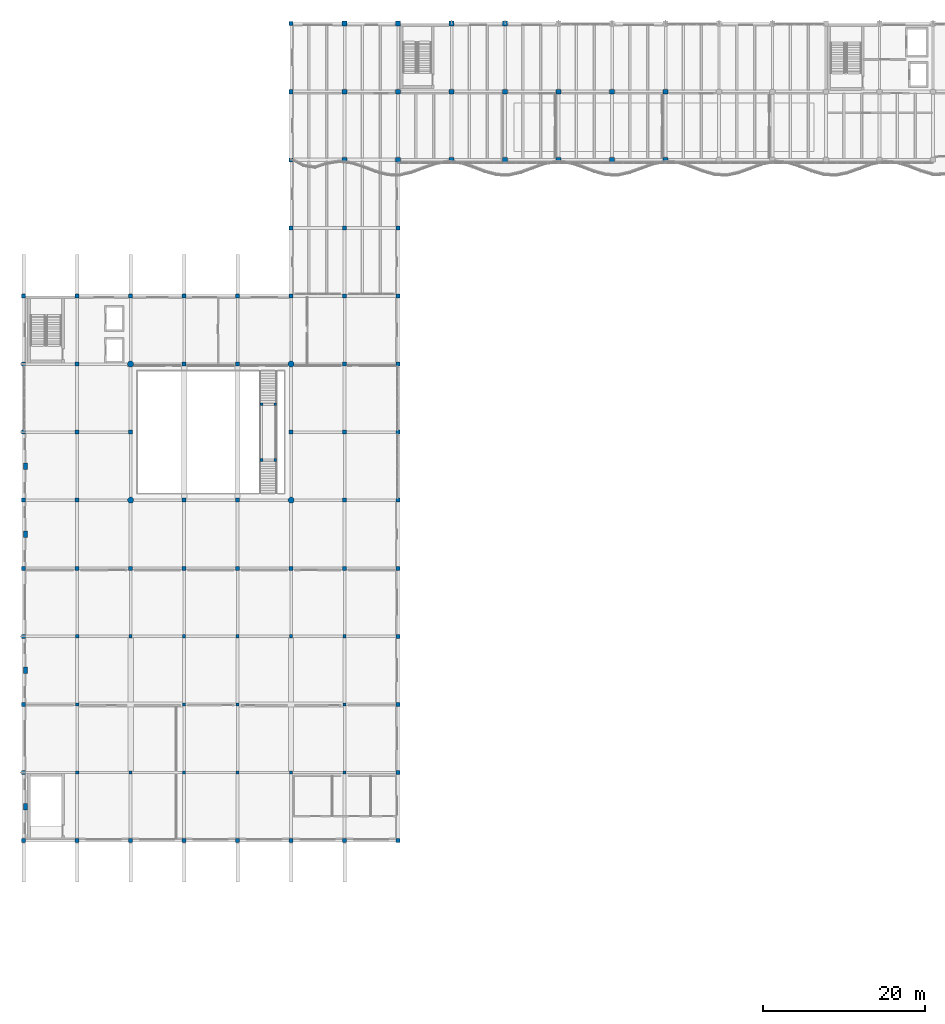
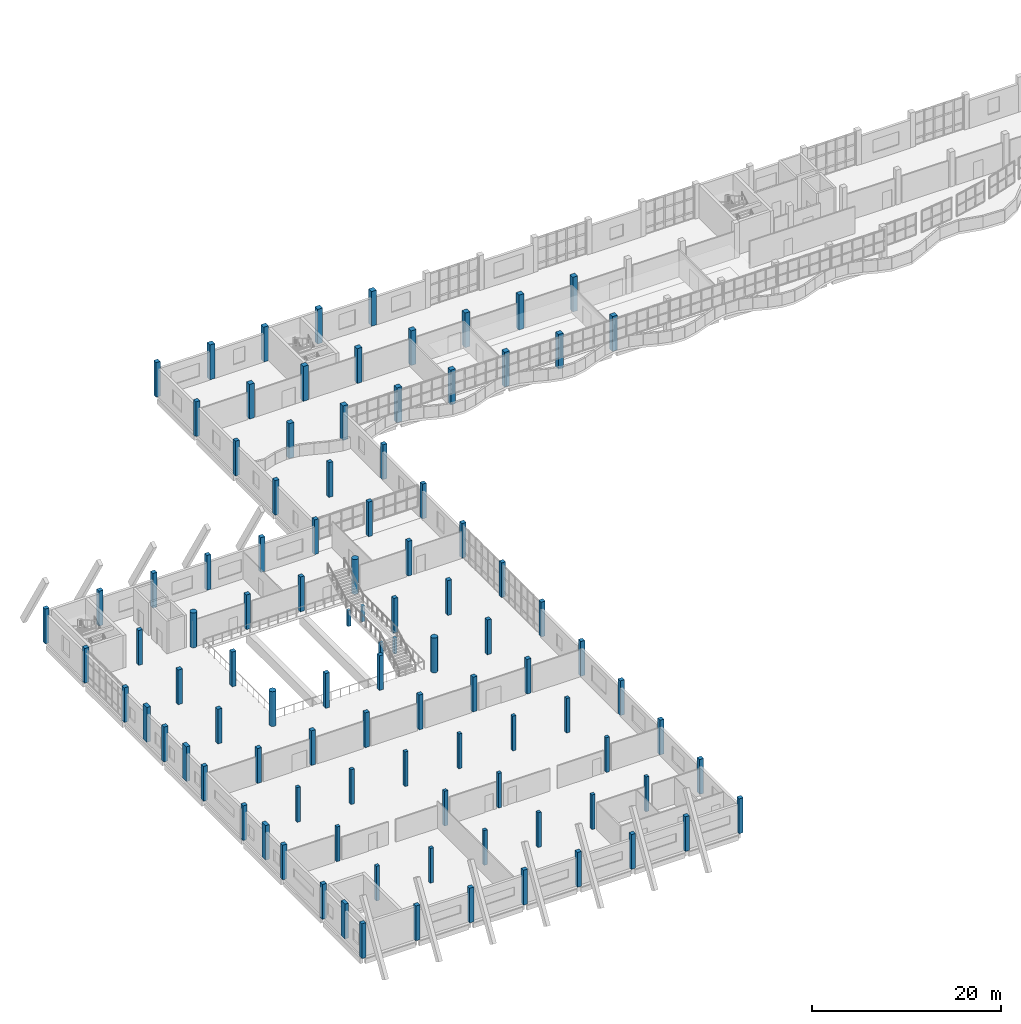
# One storey, part 1 of 76: 100 columns.
"""IFC4 building model written with IfcOpenShell, lengths in metres."""

from ifc_helpers import new_model, si_unit, direction, frame, origin, origin_2d, place, context, subcontext, project, spatial, rectangle, circle, extrude, material, material_profile, profile_set, type_object, element, save


model = new_model("IFC4")

# Units and contexts
model_context = context("Model", 3, precision=1e-05, world=origin(), true_north=direction((0.0, 1.0)))
body_context = subcontext(model_context, "Body", "Model", "MODEL_VIEW")
ifc_project = project(units=[si_unit("LENGTHUNIT", "METRE"), si_unit("AREAUNIT", "SQUARE_METRE"), si_unit("VOLUMEUNIT", "CUBIC_METRE"), si_unit("PLANEANGLEUNIT", "RADIAN"), si_unit("MASSUNIT", "GRAM", prefix="KILO")], contexts=[model_context])

# Site, building, storey
site_placement = place(None, origin())
site = spatial("IfcSite", under=ifc_project, at=site_placement, CompositionType="ELEMENT")
building_placement = place(site_placement, origin())
building = spatial("IfcBuilding", under=site, at=building_placement, Name="Qaldarim Faculty of Natural and Applied Sciences", CompositionType="ELEMENT")
storey_placement = place(building_placement, frame((0.0, 0.0, 9.89990234375)))
storey = spatial("IfcBuildingStorey", under=building, at=storey_placement, Name="L02", CompositionType="ELEMENT", Elevation=9.89990234375)

# Columns
ifc_material_1 = material(Name="Concrete C50/60", Category="concrete")
ifc_material_profile_1 = material_profile(ifc_material_1, circle(Radius=0.375, at=origin_2d()), Name="RC-D750")
ifc_profile_set_1 = profile_set([ifc_material_profile_1], Name="Concrete C50/60")
column_type_1 = type_object("IfcColumnType", Name="AtriumPier-RCD750", PredefinedType="COLUMN", material=ifc_profile_set_1)
for number, where, z_axis, x_axis, name in (
    (1, (13.199951171875, 58.800048828125, 0.0), (0.0, 0.0, 1.0), (1.0, 0.0, 0.0), "Column X03/Y08 L02"),
    (2, (13.199951171875, 75.60009765625, 0.0), (0.0, 0.0, 1.0), (1.0, 0.0, 0.0), "Column X03/Y10 L02"),
    (3, (33.0, 58.800048828125, 0.0), (0.0, 0.0, 1.0), (1.0, 0.0, 0.0), "Column X06/Y08 L02"),
    (4, (33.0, 75.60009765625, 0.0), (0.0, 0.0, 1.0), (1.0, 0.0, 0.0), "Column X06/Y10 L02"),
):
    element("IfcColumn", number, at=place(storey_placement, frame(where, z_axis=z_axis, x_axis=x_axis)), inside=storey, type_object=column_type_1, Name=name, PredefinedType="COLUMN", context=body_context, shape_type="SweptSolid", body=[
        extrude(circle(Radius=0.375, at=origin_2d()), origin(), (0.0, 0.0, 1.0), 4.5),
    ])
ifc_material_2 = material(Name="Concrete C40/50", Category="concrete")
ifc_material_profile_2 = material_profile(ifc_material_2, rectangle(XDim=0.35009765625, YDim=0.35009765625, at=origin_2d()), Name="RC-C350x350")
ifc_profile_set_2 = profile_set([ifc_material_profile_2], Name="Concrete C40/50")
column_type_2 = type_object("IfcColumnType", Name="Column-RC350x350", PredefinedType="COLUMN", material=ifc_profile_set_2)
for number, where, z_axis, x_axis, name in (
    (5, (29.35009765625, 63.77001953125, 0.0), (0.0, 0.0, 1.0), (1.0, 0.0, 0.0), "Open stair landing post ST-AT1-L02 SW"),
    (6, (31.050048828125, 63.77001953125, 0.0), (0.0, 0.0, 1.0), (1.0, 0.0, 0.0), "Open stair landing post ST-AT1-L02 SE"),
    (7, (31.050048828125, 70.6298828125, 0.0), (0.0, 0.0, 1.0), (1.0, 0.0, 0.0), "Open stair landing post ST-AT1-L02 NE"),
    (8, (29.35009765625, 70.6298828125, 0.0), (0.0, 0.0, 1.0), (1.0, 0.0, 0.0), "Open stair landing post ST-AT1-L02 NW"),
):
    element("IfcColumn", number, at=place(storey_placement, frame(where, z_axis=z_axis, x_axis=x_axis)), inside=storey, type_object=column_type_2, Name=name, PredefinedType="COLUMN", context=body_context, shape_type="SweptSolid", body=[
        extrude(rectangle(XDim=0.35009765625, YDim=0.35009765625, at=origin_2d()), origin(), (0.0, 0.0, 1.0), 2.0400390625),
    ])
ifc_material_profile_3 = material_profile(ifc_material_2, rectangle(XDim=0.39990234375, YDim=0.39990234375, at=origin_2d()), Name="RC-C400x400")
ifc_profile_set_3 = profile_set([ifc_material_profile_3], Name="Concrete C40/50")
column_type_3 = type_object("IfcColumnType", Name="Column-RC400x400", PredefinedType="COLUMN", material=ifc_profile_set_3)
for number, where, z_axis, x_axis, name in (
    (9, (6.60009765625, 25.199951171875, 0.0), (0.0, 0.0, 1.0), (1.0, 0.0, 0.0), "Column X02/Y04 L02"),
    (10, (6.60009765625, 33.60009765625, 0.0), (0.0, 0.0, 1.0), (1.0, 0.0, 0.0), "Column X02/Y05 L02"),
    (11, (6.60009765625, 42.0, 0.0), (0.0, 0.0, 1.0), (1.0, 0.0, 0.0), "Column X02/Y06 L02"),
    (12, (13.199951171875, 25.199951171875, 0.0), (0.0, 0.0, 1.0), (1.0, 0.0, 0.0), "Column X03/Y04 L02"),
    (13, (13.199951171875, 42.0, 0.0), (0.0, 0.0, 1.0), (1.0, 0.0, 0.0), "Column X03/Y06 L02"),
    (14, (19.800048828125, 25.199951171875, 0.0), (0.0, 0.0, 1.0), (1.0, 0.0, 0.0), "Column X04/Y04 L02"),
    (15, (19.800048828125, 33.60009765625, 0.0), (0.0, 0.0, 1.0), (1.0, 0.0, 0.0), "Column X04/Y05 L02"),
    (16, (19.800048828125, 42.0, 0.0), (0.0, 0.0, 1.0), (1.0, 0.0, 0.0), "Column X04/Y06 L02"),
    (17, (26.39990234375, 25.199951171875, 0.0), (0.0, 0.0, 1.0), (1.0, 0.0, 0.0), "Column X05/Y04 L02"),
    (18, (26.39990234375, 33.60009765625, 0.0), (0.0, 0.0, 1.0), (1.0, 0.0, 0.0), "Column X05/Y05 L02"),
    (19, (26.39990234375, 42.0, 0.0), (0.0, 0.0, 1.0), (1.0, 0.0, 0.0), "Column X05/Y06 L02"),
    (20, (33.0, 25.199951171875, 0.0), (0.0, 0.0, 1.0), (1.0, 0.0, 0.0), "Column X06/Y04 L02"),
    (21, (33.0, 42.0, 0.0), (0.0, 0.0, 1.0), (1.0, 0.0, 0.0), "Column X06/Y06 L02"),
    (22, (39.60009765625, 25.199951171875, 0.0), (0.0, 0.0, 1.0), (1.0, 0.0, 0.0), "Column X07/Y04 L02"),
    (23, (39.60009765625, 33.60009765625, 0.0), (0.0, 0.0, 1.0), (1.0, 0.0, 0.0), "Column X07/Y05 L02"),
    (24, (39.60009765625, 42.0, 0.0), (0.0, 0.0, 1.0), (1.0, 0.0, 0.0), "Column X07/Y06 L02"),
):
    element("IfcColumn", number, at=place(storey_placement, frame(where, z_axis=z_axis, x_axis=x_axis)), inside=storey, type_object=column_type_3, Name=name, PredefinedType="COLUMN", context=body_context, shape_type="SweptSolid", body=[
        extrude(rectangle(XDim=0.39990234375, YDim=0.39990234375, at=origin_2d()), origin(), (0.0, 0.0, 1.0), 4.5),
    ])
ifc_material_profile_4 = material_profile(ifc_material_1, rectangle(XDim=0.5, YDim=0.5, at=origin_2d()), Name="RC-C500x500")
ifc_profile_set_4 = profile_set([ifc_material_profile_4], Name="Concrete C50/60")
column_type_4 = type_object("IfcColumnType", Name="Column-RC500x500", PredefinedType="COLUMN", material=ifc_profile_set_4)
for number, where, z_axis, x_axis, name in (
    (25, (0.0, 16.800048828125, 0.0), (0.0, 0.0, 1.0), (1.0, 0.0, 0.0), "Column X01/Y03 L02"),
    (26, (0.0, 25.199951171875, 0.0), (0.0, 0.0, 1.0), (1.0, 0.0, 0.0), "Column X01/Y04 L02"),
    (27, (0.0, 33.60009765625, 0.0), (0.0, 0.0, 1.0), (1.0, 0.0, 0.0), "Column X01/Y05 L02"),
    (28, (0.0, 42.0, 0.0), (0.0, 0.0, 1.0), (1.0, 0.0, 0.0), "Column X01/Y06 L02"),
    (29, (0.0, 50.39990234375, 0.0), (0.0, 0.0, 1.0), (1.0, 0.0, 0.0), "Column X01/Y07 L02"),
    (30, (0.0, 58.800048828125, 0.0), (0.0, 0.0, 1.0), (1.0, 0.0, 0.0), "Column X01/Y08 L02"),
    (31, (0.0, 67.199951171875, 0.0), (0.0, 0.0, 1.0), (1.0, 0.0, 0.0), "Column X01/Y09 L02"),
    (32, (0.0, 75.60009765625, 0.0), (0.0, 0.0, 1.0), (1.0, 0.0, 0.0), "Column X01/Y10 L02"),
    (33, (0.0, 84.0, 0.0), (0.0, 0.0, 1.0), (1.0, 0.0, 0.0), "Column X01/Y11 L02"),
    (34, (6.60009765625, 16.800048828125, 0.0), (0.0, 0.0, 1.0), (1.0, 0.0, 0.0), "Column X02/Y03 L02"),
    (35, (6.60009765625, 50.39990234375, 0.0), (0.0, 0.0, 1.0), (1.0, 0.0, 0.0), "Column X02/Y07 L02"),
    (36, (6.60009765625, 58.800048828125, 0.0), (0.0, 0.0, 1.0), (1.0, 0.0, 0.0), "Column X02/Y08 L02"),
    (37, (6.60009765625, 67.199951171875, 0.0), (0.0, 0.0, 1.0), (1.0, 0.0, 0.0), "Column X02/Y09 L02"),
    (38, (6.60009765625, 75.60009765625, 0.0), (0.0, 0.0, 1.0), (1.0, 0.0, 0.0), "Column X02/Y10 L02"),
    (39, (6.60009765625, 84.0, 0.0), (0.0, 0.0, 1.0), (1.0, 0.0, 0.0), "Column X02/Y11 L02"),
    (40, (13.199951171875, 16.800048828125, 0.0), (0.0, 0.0, 1.0), (1.0, 0.0, 0.0), "Column X03/Y03 L02"),
    (41, (13.199951171875, 50.39990234375, 0.0), (0.0, 0.0, 1.0), (1.0, 0.0, 0.0), "Column X03/Y07 L02"),
    (42, (13.199951171875, 67.199951171875, 0.0), (0.0, 0.0, 1.0), (1.0, 0.0, 0.0), "Column X03/Y09 L02"),
    (43, (13.199951171875, 84.0, 0.0), (0.0, 0.0, 1.0), (1.0, 0.0, 0.0), "Column X03/Y11 L02"),
    (44, (19.800048828125, 16.800048828125, 0.0), (0.0, 0.0, 1.0), (1.0, 0.0, 0.0), "Column X04/Y03 L02"),
    (45, (19.800048828125, 50.39990234375, 0.0), (0.0, 0.0, 1.0), (1.0, 0.0, 0.0), "Column X04/Y07 L02"),
    (46, (19.800048828125, 58.800048828125, 0.0), (0.0, 0.0, 1.0), (1.0, 0.0, 0.0), "Column X04/Y08 L02"),
    (47, (19.800048828125, 75.60009765625, 0.0), (0.0, 0.0, 1.0), (1.0, 0.0, 0.0), "Column X04/Y10 L02"),
    (48, (19.800048828125, 84.0, 0.0), (0.0, 0.0, 1.0), (1.0, 0.0, 0.0), "Column X04/Y11 L02"),
    (49, (26.39990234375, 16.800048828125, 0.0), (0.0, 0.0, 1.0), (1.0, 0.0, 0.0), "Column X05/Y03 L02"),
    (50, (26.39990234375, 50.39990234375, 0.0), (0.0, 0.0, 1.0), (1.0, 0.0, 0.0), "Column X05/Y07 L02"),
    (51, (26.39990234375, 58.800048828125, 0.0), (0.0, 0.0, 1.0), (1.0, 0.0, 0.0), "Column X05/Y08 L02"),
    (52, (26.39990234375, 75.60009765625, 0.0), (0.0, 0.0, 1.0), (1.0, 0.0, 0.0), "Column X05/Y10 L02"),
    (53, (26.39990234375, 84.0, 0.0), (0.0, 0.0, 1.0), (1.0, 0.0, 0.0), "Column X05/Y11 L02"),
    (54, (33.0, 16.800048828125, 0.0), (0.0, 0.0, 1.0), (1.0, 0.0, 0.0), "Column X06/Y03 L02"),
    (55, (33.0, 50.39990234375, 0.0), (0.0, 0.0, 1.0), (1.0, 0.0, 0.0), "Column X06/Y07 L02"),
    (56, (33.0, 67.199951171875, 0.0), (0.0, 0.0, 1.0), (1.0, 0.0, 0.0), "Column X06/Y09 L02"),
    (57, (33.0, 84.0, 0.0), (0.0, 0.0, 1.0), (1.0, 0.0, 0.0), "Column X06/Y11 L02"),
    (58, (33.0, 92.39990234375, 0.0), (0.0, 0.0, 1.0), (1.0, 0.0, 0.0), "Column X06/Y12 L02"),
    (59, (33.0, 100.800048828125, 0.0), (0.0, 0.0, 1.0), (1.0, 0.0, 0.0), "Column X06/Y13 L02"),
    (60, (33.0, 109.199951171875, 0.0), (0.0, 0.0, 1.0), (1.0, 0.0, 0.0), "Column X06/Y14 L02"),
    (61, (33.0, 117.60009765625, 0.0), (0.0, 0.0, 1.0), (1.0, 0.0, 0.0), "Column X06/Y15 L02"),
    (62, (39.60009765625, 16.800048828125, 0.0), (0.0, 0.0, 1.0), (1.0, 0.0, 0.0), "Column X07/Y03 L02"),
    (63, (39.60009765625, 50.39990234375, 0.0), (0.0, 0.0, 1.0), (1.0, 0.0, 0.0), "Column X07/Y07 L02"),
    (64, (39.60009765625, 58.800048828125, 0.0), (0.0, 0.0, 1.0), (1.0, 0.0, 0.0), "Column X07/Y08 L02"),
    (65, (39.60009765625, 67.199951171875, 0.0), (0.0, 0.0, 1.0), (1.0, 0.0, 0.0), "Column X07/Y09 L02"),
    (66, (39.60009765625, 75.60009765625, 0.0), (0.0, 0.0, 1.0), (1.0, 0.0, 0.0), "Column X07/Y10 L02"),
    (67, (39.60009765625, 84.0, 0.0), (0.0, 0.0, 1.0), (1.0, 0.0, 0.0), "Column X07/Y11 L02"),
    (68, (39.60009765625, 92.39990234375, 0.0), (0.0, 0.0, 1.0), (1.0, 0.0, 0.0), "Column X07/Y12 L02"),
    (69, (46.199951171875, 16.800048828125, 0.0), (0.0, 0.0, 1.0), (1.0, 0.0, 0.0), "Column X08/Y03 L02"),
    (70, (46.199951171875, 25.199951171875, 0.0), (0.0, 0.0, 1.0), (1.0, 0.0, 0.0), "Column X08/Y04 L02"),
    (71, (46.199951171875, 33.60009765625, 0.0), (0.0, 0.0, 1.0), (1.0, 0.0, 0.0), "Column X08/Y05 L02"),
    (72, (46.199951171875, 42.0, 0.0), (0.0, 0.0, 1.0), (1.0, 0.0, 0.0), "Column X08/Y06 L02"),
    (73, (46.199951171875, 50.39990234375, 0.0), (0.0, 0.0, 1.0), (1.0, 0.0, 0.0), "Column X08/Y07 L02"),
    (74, (46.199951171875, 58.800048828125, 0.0), (0.0, 0.0, 1.0), (1.0, 0.0, 0.0), "Column X08/Y08 L02"),
    (75, (46.199951171875, 67.199951171875, 0.0), (0.0, 0.0, 1.0), (1.0, 0.0, 0.0), "Column X08/Y09 L02"),
    (76, (46.199951171875, 75.60009765625, 0.0), (0.0, 0.0, 1.0), (1.0, 0.0, 0.0), "Column X08/Y10 L02"),
    (77, (46.199951171875, 84.0, 0.0), (0.0, 0.0, 1.0), (1.0, 0.0, 0.0), "Column X08/Y11 L02"),
    (78, (46.199951171875, 92.39990234375, 0.0), (0.0, 0.0, 1.0), (1.0, 0.0, 0.0), "Column X08/Y12 L02"),
):
    element("IfcColumn", number, at=place(storey_placement, frame(where, z_axis=z_axis, x_axis=x_axis)), inside=storey, type_object=column_type_4, Name=name, PredefinedType="COLUMN", context=body_context, shape_type="SweptSolid", body=[
        extrude(rectangle(XDim=0.5, YDim=0.5, at=origin_2d()), origin(), (0.0, 0.0, 1.0), 4.5),
    ])
ifc_material_profile_5 = material_profile(ifc_material_1, rectangle(XDim=0.60009765625, YDim=0.60009765625, at=origin_2d()), Name="RC-C600x600")
ifc_profile_set_5 = profile_set([ifc_material_profile_5], Name="Concrete C50/60")
column_type_5 = type_object("IfcColumnType", Name="Column-RC600x600", PredefinedType="COLUMN", material=ifc_profile_set_5)
for number, where, z_axis, x_axis, name in (
    (79, (39.60009765625, 100.800048828125, 0.0), (0.0, 0.0, 1.0), (1.0, 0.0, 0.0), "Column X07/Y13 L02"),
    (80, (39.60009765625, 109.199951171875, 0.0), (0.0, 0.0, 1.0), (1.0, 0.0, 0.0), "Column X07/Y14 L02"),
    (81, (39.60009765625, 117.60009765625, 0.0), (0.0, 0.0, 1.0), (1.0, 0.0, 0.0), "Column X07/Y15 L02"),
    (82, (46.199951171875, 100.800048828125, 0.0), (0.0, 0.0, 1.0), (1.0, 0.0, 0.0), "Column X08/Y13 L02"),
    (83, (46.199951171875, 109.199951171875, 0.0), (0.0, 0.0, 1.0), (1.0, 0.0, 0.0), "Column X08/Y14 L02"),
    (84, (46.199951171875, 117.60009765625, 0.0), (0.0, 0.0, 1.0), (1.0, 0.0, 0.0), "Column X08/Y15 L02"),
    (85, (52.800048828125, 100.800048828125, 0.0), (0.0, 0.0, 1.0), (1.0, 0.0, 0.0), "Column X09/Y13 L02"),
    (86, (52.800048828125, 109.199951171875, 0.0), (0.0, 0.0, 1.0), (1.0, 0.0, 0.0), "Column X09/Y14 L02"),
    (87, (52.800048828125, 117.60009765625, 0.0), (0.0, 0.0, 1.0), (1.0, 0.0, 0.0), "Column X09/Y15 L02"),
    (88, (59.39990234375, 100.800048828125, 0.0), (0.0, 0.0, 1.0), (1.0, 0.0, 0.0), "Column X10/Y13 L02"),
    (89, (59.39990234375, 109.199951171875, 0.0), (0.0, 0.0, 1.0), (1.0, 0.0, 0.0), "Column X10/Y14 L02"),
    (90, (59.39990234375, 117.60009765625, 0.0), (0.0, 0.0, 1.0), (1.0, 0.0, 0.0), "Column X10/Y15 L02"),
    (91, (66.0, 100.800048828125, 0.0), (0.0, 0.0, 1.0), (1.0, 0.0, 0.0), "Column X11/Y13 L02"),
    (92, (66.0, 109.199951171875, 0.0), (0.0, 0.0, 1.0), (1.0, 0.0, 0.0), "Column X11/Y14 L02"),
    (93, (72.60009765625, 100.800048828125, 0.0), (0.0, 0.0, 1.0), (1.0, 0.0, 0.0), "Column X12/Y13 L02"),
    (94, (72.60009765625, 109.199951171875, 0.0), (0.0, 0.0, 1.0), (1.0, 0.0, 0.0), "Column X12/Y14 L02"),
    (95, (79.199951171875, 100.800048828125, 0.0), (0.0, 0.0, 1.0), (1.0, 0.0, 0.0), "Column X13/Y13 L02"),
    (96, (79.199951171875, 109.199951171875, 0.0), (0.0, 0.0, 1.0), (1.0, 0.0, 0.0), "Column X13/Y14 L02"),
):
    element("IfcColumn", number, at=place(storey_placement, frame(where, z_axis=z_axis, x_axis=x_axis)), inside=storey, type_object=column_type_5, Name=name, PredefinedType="COLUMN", context=body_context, shape_type="SweptSolid", body=[
        extrude(rectangle(XDim=0.60009765625, YDim=0.60009765625, at=origin_2d()), origin(), (0.0, 0.0, 1.0), 4.5),
    ])
ifc_material_profile_6 = material_profile(ifc_material_1, rectangle(XDim=0.449951171875, YDim=0.800048828125, at=origin_2d()), Name="RC-C450x800")
ifc_profile_set_6 = profile_set([ifc_material_profile_6], Name="Concrete C50/60")
column_type_6 = type_object("IfcColumnType", Name="Pilaster-RC450x800", PredefinedType="PILASTER", material=ifc_profile_set_6)
for number, where, z_axis, x_axis, name in (
    (97, (0.22509765625, 21.0, 0.0), (0.0, 0.0, 1.0), (1.0, 0.0, 0.0), "West facade pilaster L02 bay Y03"),
    (98, (0.22509765625, 37.800048828125, 0.0), (0.0, 0.0, 1.0), (1.0, 0.0, 0.0), "West facade pilaster L02 bay Y05"),
    (99, (0.22509765625, 54.60009765625, 0.0), (0.0, 0.0, 1.0), (1.0, 0.0, 0.0), "West facade pilaster L02 bay Y07"),
    (100, (0.22509765625, 63.0, 0.0), (0.0, 0.0, 1.0), (1.0, 0.0, 0.0), "West facade pilaster L02 bay Y08"),
):
    element("IfcColumn", number, at=place(storey_placement, frame(where, z_axis=z_axis, x_axis=x_axis)), inside=storey, type_object=column_type_6, Name=name, PredefinedType="PILASTER", context=body_context, shape_type="SweptSolid", body=[
        extrude(rectangle(XDim=0.449951171875, YDim=0.800048828125, at=origin_2d()), origin(), (0.0, 0.0, 1.0), 4.5),
    ])

save(model, "model.ifc")
